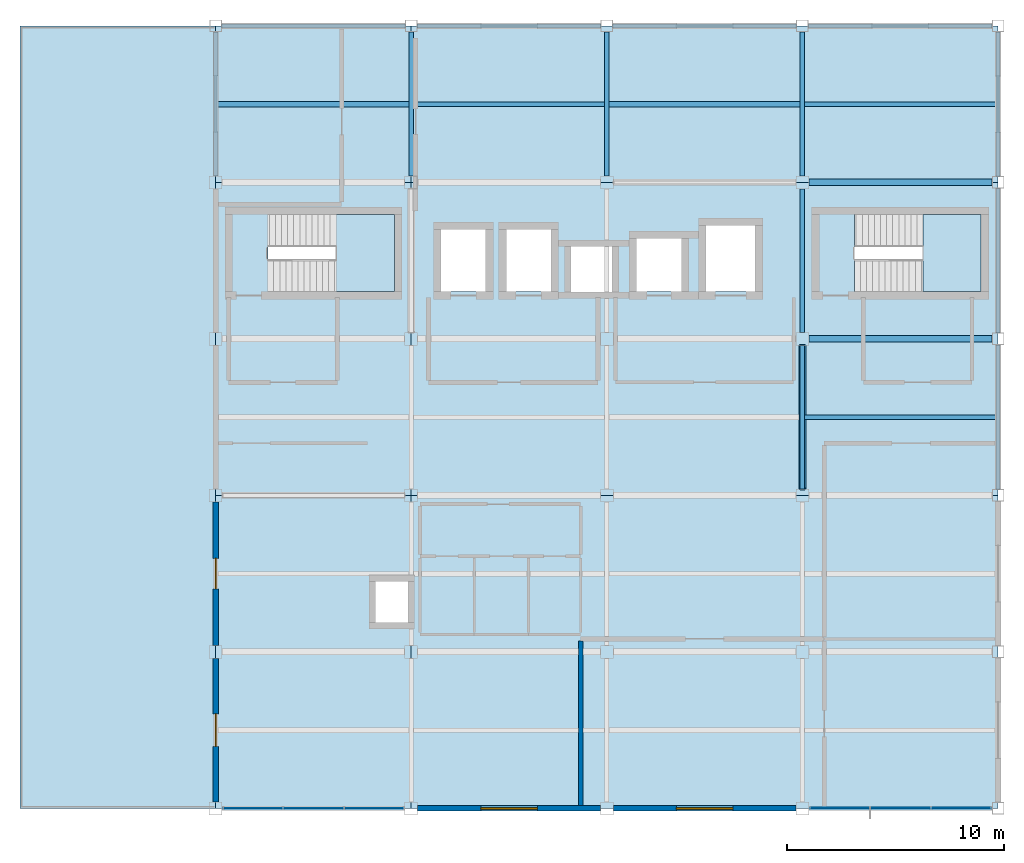
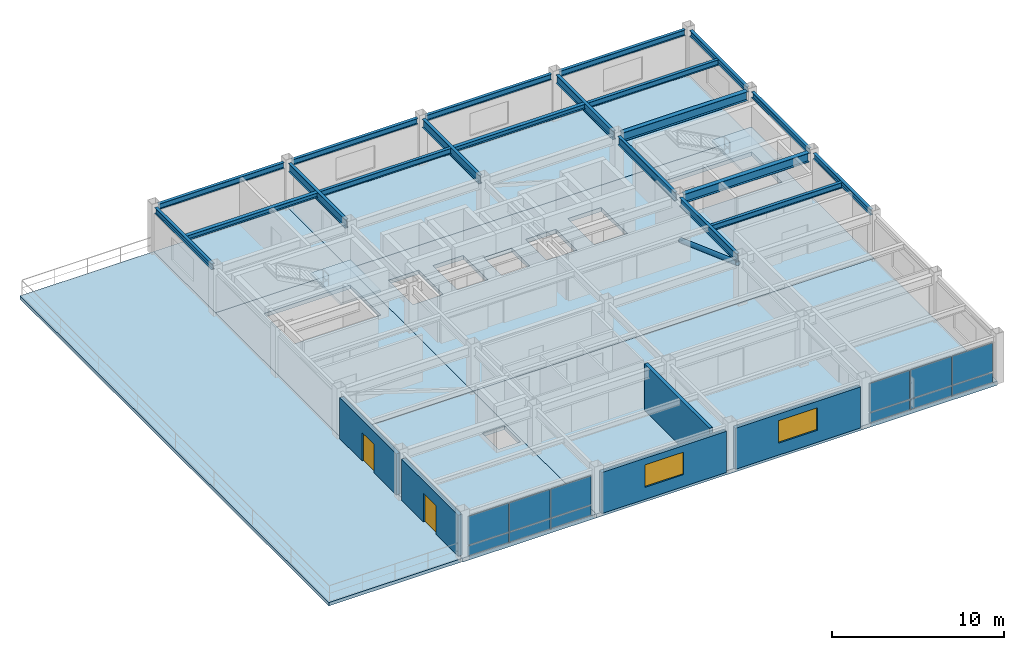
# One storey, part 5 of 11: 20 beams, 12 plates, 9 slabs, 5 walls, 2 doors, 2 windows, 1 member, 4 openings, 4 elements without a shape of their own.
"""IFC4 building model written with IfcOpenShell, lengths in metres."""

import ifcopenshell
import ifcopenshell.guid

model = None  # the IFC model being written
_history = None  # IfcOwnerHistory: only IFC2X3 demands one
_inside = {}  # id of a spatial element -> (the spatial element, [elements in it])
_under = {}  # id of a project, library or spatial element -> (it, [spatial elements below it])
_declared = {}  # id of a project -> (the project, [libraries it declares])
_typed = {}  # id of a type object -> (the type object, [elements of that type])
_made_of = {}  # id of a material, layer set ... -> (it, [elements and type objects made of it])


def new_model(schema):
    """Start an empty IFC model of exactly this schema.

    Asked for "IFC4X3", IfcOpenShell would pick the latest addendum, in which some entities
    have other attributes; the version numbers below select the first issue.
    IFC2X3 requires an IfcOwnerHistory on every rooted entity: one is made here for all.
    """
    global model, _history
    if schema == "IFC4X3":
        model = ifcopenshell.file(schema_version=(4, 3, 0, 0))
    else:
        model = ifcopenshell.file(schema=schema)
    _inside.clear()
    _under.clear()
    _declared.clear()
    _typed.clear()
    _made_of.clear()
    _history = None
    if model.schema == "IFC2X3":
        org = make("IfcOrganization", Name="unknown")
        user = make(
            "IfcPersonAndOrganization",
            ThePerson=make("IfcPerson", FamilyName="unknown"),
            TheOrganization=org,
        )
        app = make(
            "IfcApplication",
            ApplicationDeveloper=org,
            Version="unknown",
            ApplicationFullName="unknown",
            ApplicationIdentifier="unknown",
        )
        _history = make(
            "IfcOwnerHistory",
            OwningUser=user,
            OwningApplication=app,
            ChangeAction="ADDED",
            CreationDate=0,
        )
    return model


def make(cls, **values):
    """One entity of the class cls with the attributes given. An attribute that is None is left unset."""
    return model.create_entity(
        cls, **{name: value for name, value in values.items() if value is not None}
    )


def rooted(cls, **values):
    """An entity with a GlobalId (a new one), such as an element, a storey or a relation."""
    return make(cls, GlobalId=ifcopenshell.guid.new(), OwnerHistory=_history, **values)


def si_unit(unit_type, name, prefix=None):
    """IfcSIUnit, for example si_unit("LENGTHUNIT", "METRE", prefix="MILLI")."""
    return make("IfcSIUnit", UnitType=unit_type, Prefix=prefix, Name=name)


def assignment(units):
    """IfcUnitAssignment: the units of a project."""
    return None if units is None else make("IfcUnitAssignment", Units=units)


def point(xyz):
    """IfcCartesianPoint."""
    return None if xyz is None else make("IfcCartesianPoint", Coordinates=xyz)


def direction(xyz):
    """IfcDirection."""
    return None if xyz is None else make("IfcDirection", DirectionRatios=xyz)


def frame(location, z_axis=None, x_axis=None):
    """IfcAxis2Placement3D, a coordinate frame: its origin and axes. An axis left out is left unset."""
    return make(
        "IfcAxis2Placement3D",
        Location=point(location),
        Axis=direction(z_axis),
        RefDirection=direction(x_axis),
    )


def frame_2d(location, x_axis=None):
    """IfcAxis2Placement2D, a coordinate frame in the plane: its origin and x axis."""
    return make(
        "IfcAxis2Placement2D", Location=point(location), RefDirection=direction(x_axis)
    )


def origin():
    """The frame at (0, 0, 0) with its axes left unset."""
    return frame((0.0, 0.0, 0.0))


def origin_2d():
    """The frame at (0, 0) in the plane with its x axis left unset."""
    return frame_2d((0.0, 0.0))


def place(relative_to, where):
    """IfcLocalPlacement: puts the frame where relative to a parent placement (None: the world)."""
    return make(
        "IfcLocalPlacement", PlacementRelTo=relative_to, RelativePlacement=where
    )


def context(
    kind, dimensions, precision=None, world=None, true_north=None, identifier=None
):
    """IfcGeometricRepresentationContext, for example the 3D "Model" context."""
    return make(
        "IfcGeometricRepresentationContext",
        ContextIdentifier=identifier,
        ContextType=kind,
        CoordinateSpaceDimension=dimensions,
        Precision=precision,
        WorldCoordinateSystem=world,
        TrueNorth=true_north,
    )


def subcontext(parent, identifier, kind, view, scale=None):
    """IfcGeometricRepresentationSubContext, for example "Body" below "Model"."""
    return make(
        "IfcGeometricRepresentationSubContext",
        ContextIdentifier=identifier,
        ContextType=kind,
        ParentContext=parent,
        TargetScale=scale,
        TargetView=view,
    )


def project(units=None, contexts=None):
    """IfcProject with its units and contexts."""
    return rooted(
        "IfcProject",
        Name="project",
        RepresentationContexts=contexts,
        UnitsInContext=assignment(units),
    )


def spatial(cls, under=None, at=None, **own):
    """A site, building, storey or space (cls), placed at a placement, below another one or the project."""
    s = rooted(cls, ObjectPlacement=at, **own)
    if under is not None:
        _under.setdefault(under.id(), (under, []))[1].append(s)
    return s


def polyline(points):
    """IfcPolyline through the points."""
    return make("IfcPolyline", Points=[point(p) for p in points])


def profile(cls, at=None, kind="AREA", **sizes):
    """A parametric profile (cls). Its sizes go by their IFC names, for example OverallWidth=200.0."""
    return make(cls, ProfileType=kind, Position=at, **sizes)


def rectangle(**sizes):
    """IfcRectangleProfileDef."""
    return profile("IfcRectangleProfileDef", **sizes)


def hollow_circle(**sizes):
    """IfcCircleHollowProfileDef."""
    return profile("IfcCircleHollowProfileDef", **sizes)


def i_section(**sizes):
    """IfcIShapeProfileDef."""
    return profile("IfcIShapeProfileDef", **sizes)


def outline(outer, holes=None, kind="AREA"):
    """IfcArbitraryClosedProfileDef: a profile drawn as a closed curve; with holes, ...WithVoids."""
    if holes is None:
        return make("IfcArbitraryClosedProfileDef", ProfileType=kind, OuterCurve=outer)
    return make(
        "IfcArbitraryProfileDefWithVoids",
        ProfileType=kind,
        OuterCurve=outer,
        InnerCurves=holes,
    )


def extrude(swept, where, along, depth):
    """IfcExtrudedAreaSolid: the profile swept, set in the frame where, extruded along a direction by depth."""
    return make(
        "IfcExtrudedAreaSolid",
        SweptArea=swept,
        Position=where,
        ExtrudedDirection=direction(along),
        Depth=depth,
    )


def shape(context_of_items, identifier, shape_type, items):
    """IfcShapeRepresentation: the items that make up one representation, for example the "Body"."""
    return make(
        "IfcShapeRepresentation",
        ContextOfItems=context_of_items,
        RepresentationIdentifier=identifier,
        RepresentationType=shape_type,
        Items=items,
    )


def material(Name=None, Category=None):
    """IfcMaterial."""
    return make("IfcMaterial", Name=Name, Category=Category)


def layer(
    of_material, thickness, ventilated=None, Name=None, Category=None, Priority=None
):
    """IfcMaterialLayer: one layer of a wall or slab, of a material (None: an air gap)."""
    return make(
        "IfcMaterialLayer",
        Material=of_material,
        LayerThickness=thickness,
        IsVentilated=ventilated,
        Name=Name,
        Category=Category,
        Priority=Priority,
    )


def layer_set(layers, Name=None):
    """IfcMaterialLayerSet."""
    return make("IfcMaterialLayerSet", MaterialLayers=layers, LayerSetName=Name)


def material_profile(
    of_material, cross_section, Name=None, Category=None, Priority=None
):
    """IfcMaterialProfile: a cross section and its material."""
    return make(
        "IfcMaterialProfile",
        Name=Name,
        Material=of_material,
        Profile=cross_section,
        Priority=Priority,
        Category=Category,
    )


def profile_set(profiles, Name=None, composite=None):
    """IfcMaterialProfileSet."""
    return make(
        "IfcMaterialProfileSet",
        Name=Name,
        MaterialProfiles=profiles,
        CompositeProfile=composite,
    )


def made_of(thing, what):
    """Note that an element or type object is made of a material, layer set ...; save() writes the relation."""
    if what is not None:
        _made_of.setdefault(what.id(), (what, []))[1].append(thing)
    return thing


def type_object(cls, material=None, **own):
    """A type object (cls), such as IfcWallType, which elements share."""
    return made_of(rooted(cls, **own), material)


def element(
    cls,
    number,
    at=None,
    inside=None,
    cuts=None,
    type_object=None,
    material=None,
    context=None,
    identifier="Body",
    shape_type=None,
    held_by="IfcProductDefinitionShape",
    body=None,
    shapes=None,
    **own,
):
    """One element of the class cls, such as IfcWall. Its Tag is "e" and its number.

    at: its placement. inside: the storey or other place that contains it. cuts: it is an
    opening in that element (IfcRelVoidsElement). A single representation is given by context,
    identifier, shape_type and body (its items); several are given by shapes. held_by: the class
    of the entity that holds the representations. save() writes the other relations.
    """
    e = rooted(cls, Tag="e%d" % number, ObjectPlacement=at, **own)
    if body is not None:
        shapes = [shape(context, identifier, shape_type, body)]
    if shapes is not None:
        e.Representation = make(held_by, Representations=shapes)
    if inside is not None:
        _inside.setdefault(inside.id(), (inside, []))[1].append(e)
    if cuts is not None:
        rooted(
            "IfcRelVoidsElement", RelatingBuildingElement=cuts, RelatedOpeningElement=e
        )
    if type_object is not None:
        _typed.setdefault(type_object.id(), (type_object, []))[1].append(e)
    return made_of(e, material)


def fill(opening, filler):
    """IfcRelFillsElement: the door or window that sits in an opening."""
    return rooted(
        "IfcRelFillsElement",
        RelatingOpeningElement=opening,
        RelatedBuildingElement=filler,
    )


def aggregate(whole, parts):
    """IfcRelAggregates: a whole, such as a stair, and the parts it consists of."""
    return rooted("IfcRelAggregates", RelatingObject=whole, RelatedObjects=parts)


def save(model, path):
    """Write the relations noted so far, then the file.

    IfcRelAggregates (storeys below a building ...), IfcRelContainedInSpatialStructure (elements
    in a storey), IfcRelDefinesByType, IfcRelAssociatesMaterial and IfcRelDeclares: one each for
    every whole, place, type object, material and project.
    """
    for whole, parts in _under.values():
        aggregate(whole, parts)
    for where, things in _inside.values():
        rooted(
            "IfcRelContainedInSpatialStructure",
            RelatedElements=things,
            RelatingStructure=where,
        )
    for kind, things in _typed.values():
        rooted("IfcRelDefinesByType", RelatedObjects=things, RelatingType=kind)
    for what, things in _made_of.values():
        rooted("IfcRelAssociatesMaterial", RelatedObjects=things, RelatingMaterial=what)
    for by, libraries in _declared.values():
        rooted("IfcRelDeclares", RelatingContext=by, RelatedDefinitions=libraries)
    model.write(path)


model = new_model("IFC4")

# Units and contexts
model_context = context("Model", 3, precision=1e-05, world=origin(), true_north=direction((0.0, 1.0)))
body_context = subcontext(model_context, "Body", "Model", "MODEL_VIEW")
ifc_project = project(units=[si_unit("LENGTHUNIT", "METRE"), si_unit("AREAUNIT", "SQUARE_METRE"), si_unit("VOLUMEUNIT", "CUBIC_METRE"), si_unit("PLANEANGLEUNIT", "RADIAN"), si_unit("MASSUNIT", "GRAM", prefix="KILO")], contexts=[model_context])

# Site, building, storey
site_placement = place(None, origin())
site = spatial("IfcSite", under=ifc_project, at=site_placement, CompositionType="ELEMENT")
building_placement = place(site_placement, origin())
building = spatial("IfcBuilding", under=site, at=building_placement, Name="Kazanami Central Library", CompositionType="ELEMENT")
storey_placement = place(building_placement, frame((0.0, 0.0, 24.199951171875)))
storey = spatial("IfcBuildingStorey", under=building, at=storey_placement, Name="L07", CompositionType="ELEMENT", Elevation=24.199951171875)

# Beams
ifc_material_1 = material(Name="Steel SN400B (235 MPa)", Category="steel")
ifc_material_profile_1 = material_profile(ifc_material_1, i_section(OverallWidth=0.199951171875, OverallDepth=0.39990234375, WebThickness=0.008056640625, FlangeThickness=0.012939453125, at=origin_2d()), Name="H-400x200x8x13")
ifc_profile_set_1 = profile_set([ifc_material_profile_1], Name="Steel SN400B (235 MPa)")
beam_type_1 = type_object("IfcBeamType", Name="BM-B-S1", PredefinedType="JOIST", material=ifc_profile_set_1)
for number, where, z_axis, x_axis, name in (
    (1, (135.097900390625, 90.0, 3.1201171875), (1.0, 0.0, 0.0), (0.0, 1.0, 0.0), "Composite Secondary Joist B-S1 L07 Bay 16/N.1"),
    (2, (153.097900390625, 75.60009765625, 3.1201171875), (1.0, 0.0, 0.0), (0.0, 1.0, 0.0), "Composite Secondary Joist B-S1 L07 Bay 18/L.1"),
    (3, (153.097900390625, 90.0, 3.1201171875), (1.0, 0.0, 0.0), (0.0, 1.0, 0.0), "Composite Secondary Joist B-S1 L07 Bay 18/N.1"),
):
    element("IfcBeam", number, at=place(storey_placement, frame(where, z_axis=z_axis, x_axis=x_axis)), inside=storey, type_object=beam_type_1, Name=name, PredefinedType="JOIST", context=body_context, shape_type="SweptSolid", body=[
        extrude(i_section(OverallWidth=0.199951171875, OverallDepth=0.39990234375, WebThickness=0.008056640625, FlangeThickness=0.012939453125, at=origin_2d()), origin(), (0.0, 0.0, 1.0), 8.80419921875),
    ])
ifc_material_profile_2 = material_profile(ifc_material_1, i_section(OverallWidth=0.25, OverallDepth=0.340087890625, WebThickness=0.009033203125, FlangeThickness=0.013916015625, at=origin_2d()), Name="H-340x250x9x14")
ifc_profile_set_2 = profile_set([ifc_material_profile_2], Name="Steel SN400B (235 MPa)")
beam_type_2 = type_object("IfcBeamType", Name="BM-B-S3", PredefinedType="JOIST", material=ifc_profile_set_2)
for number, where, z_axis, x_axis, name in (
    (4, (126.097900390625, 90.0, 3.150146484375), (1.0, 0.0, 0.0), (0.0, 1.0, 0.0), "Composite Secondary Joist B-S3 L07 Bay 15/N.1"),
    (5, (144.097900390625, 90.0, 3.150146484375), (1.0, 0.0, 0.0), (0.0, 1.0, 0.0), "Composite Secondary Joist B-S3 L07 Bay 17/N.1"),
):
    element("IfcBeam", number, at=place(storey_placement, frame(where, z_axis=z_axis, x_axis=x_axis)), inside=storey, type_object=beam_type_2, Name=name, PredefinedType="JOIST", context=body_context, shape_type="SweptSolid", body=[
        extrude(i_section(OverallWidth=0.25, OverallDepth=0.340087890625, WebThickness=0.009033203125, FlangeThickness=0.013916015625, at=origin_2d()), origin(), (0.0, 0.0, 1.0), 8.80419921875),
    ])
ifc_material_2 = material(Name="Steel SN490B (325 MPa)", Category="steel")
ifc_material_profile_3 = material_profile(ifc_material_2, i_section(OverallWidth=0.300048828125, OverallDepth=0.64990234375, WebThickness=0.012939453125, FlangeThickness=0.02099609375, at=origin_2d()), Name="H-650x300x13x21")
ifc_profile_set_3 = profile_set([ifc_material_profile_3], Name="Steel SN490B (325 MPa)")
beam_type_3 = type_object("IfcBeamType", Name="BM-G-TR", PredefinedType="BEAM", material=ifc_profile_set_3)
for number, where, z_axis, x_axis, name in (
    (6, (153.298095703125, 79.199951171875, 2.9951171875), (1.0, 0.0, 0.0), (0.0, 1.0, 0.0), "Girder G-TR L07 M/18-19"),
    (7, (153.298095703125, 86.39990234375, 2.9951171875), (1.0, 0.0, 0.0), (0.0, 1.0, 0.0), "Girder G-TR L07 N/18-19"),
):
    element("IfcBeam", number, at=place(storey_placement, frame(where, z_axis=z_axis, x_axis=x_axis)), inside=storey, type_object=beam_type_3, Name=name, PredefinedType="BEAM", context=body_context, shape_type="SweptSolid", body=[
        extrude(i_section(OverallWidth=0.300048828125, OverallDepth=0.64990234375, WebThickness=0.012939453125, FlangeThickness=0.02099609375, at=origin_2d()), origin(), (0.0, 0.0, 1.0), 8.428955078125),
    ])
ifc_material_profile_4 = material_profile(ifc_material_2, i_section(OverallWidth=0.199951171875, OverallDepth=0.60009765625, WebThickness=0.010986328125, FlangeThickness=0.01708984375, at=origin_2d()), Name="H-600x200x11x17")
ifc_profile_set_4 = profile_set([ifc_material_profile_4], Name="Steel SN490B (325 MPa)")
beam_type_4 = type_object("IfcBeamType", Name="BM-G-Y1", PredefinedType="BEAM", material=ifc_profile_set_4)
for number, where, z_axis, x_axis, name in (
    (8, (135.0, 86.697998046875, 3.02001953125), (0.0, 1.0, 0.0), (-1.0, 0.0, 0.0), "Girder G-Y1 L07 16/N-O"),
    (9, (144.0, 86.697998046875, 3.02001953125), (0.0, 1.0, 0.0), (-1.0, 0.0, 0.0), "Girder G-Y1 L07 17/N-O"),
):
    element("IfcBeam", number, at=place(storey_placement, frame(where, z_axis=z_axis, x_axis=x_axis)), inside=storey, type_object=beam_type_4, Name=name, PredefinedType="BEAM", context=body_context, shape_type="SweptSolid", body=[
        extrude(i_section(OverallWidth=0.199951171875, OverallDepth=0.60009765625, WebThickness=0.010986328125, FlangeThickness=0.01708984375, at=origin_2d()), origin(), (0.0, 0.0, 1.0), 6.62890625),
    ])
for number, where, z_axis, x_axis, name in (
    (10, (153.0, 72.298095703125, 3.02001953125), (0.0, 1.0, 0.0), (-1.0, 0.0, 0.0), "Girder G-Y1 L07 18/L-M"),
    (11, (153.0, 79.498046875, 3.02001953125), (0.0, 1.0, 0.0), (-1.0, 0.0, 0.0), "Girder G-Y1 L07 18/M-N"),
):
    element("IfcBeam", number, at=place(storey_placement, frame(where, z_axis=z_axis, x_axis=x_axis)), inside=storey, type_object=beam_type_4, Name=name, PredefinedType="BEAM", context=body_context, shape_type="SweptSolid", body=[
        extrude(i_section(OverallWidth=0.199951171875, OverallDepth=0.60009765625, WebThickness=0.010986328125, FlangeThickness=0.01708984375, at=origin_2d()), origin(), (0.0, 0.0, 1.0), 6.60400390625),
    ])
beam_1_placement = place(storey_placement, frame((153.0, 86.697998046875, 3.02001953125), z_axis=(0.0, 1.0, 0.0), x_axis=(-1.0, 0.0, 0.0)))
element("IfcBeam", 12, at=beam_1_placement, inside=storey, type_object=beam_type_4, Name="Girder G-Y1 L07 18/N-O", PredefinedType="BEAM", context=body_context, shape_type="SweptSolid", body=[
    extrude(i_section(OverallWidth=0.199951171875, OverallDepth=0.60009765625, WebThickness=0.010986328125, FlangeThickness=0.01708984375, at=origin_2d()), origin(), (0.0, 0.0, 1.0), 6.62890625),
])
ifc_material_profile_5 = material_profile(ifc_material_2, i_section(OverallWidth=0.199951171875, OverallDepth=0.39990234375, WebThickness=0.008056640625, FlangeThickness=0.012939453125, at=origin_2d()), Name="H-400x200x8x13")
ifc_profile_set_5 = profile_set([ifc_material_profile_5], Name="Steel SN490B (325 MPa)")
beam_type_5 = type_object("IfcBeamType", Name="BM-SP-3", PredefinedType="SPANDREL", material=ifc_profile_set_5)
for number, where, z_axis, x_axis, name in (
    (13, (126.27294921875, 93.60009765625, 3.1201171875), (1.0, 0.0, 0.0), (0.0, 1.0, 0.0), "Girder SP-3 L07 O/15-16"),
    (14, (135.27294921875, 93.60009765625, 3.1201171875), (1.0, 0.0, 0.0), (0.0, 1.0, 0.0), "Girder SP-3 L07 O/16-17"),
    (15, (144.27294921875, 93.60009765625, 3.1201171875), (1.0, 0.0, 0.0), (0.0, 1.0, 0.0), "Girder SP-3 L07 O/17-18"),
    (16, (153.27294921875, 93.60009765625, 3.1201171875), (1.0, 0.0, 0.0), (0.0, 1.0, 0.0), "Girder SP-3 L07 O/18-19"),
):
    element("IfcBeam", number, at=place(storey_placement, frame(where, z_axis=z_axis, x_axis=x_axis)), inside=storey, type_object=beam_type_5, Name=name, PredefinedType="SPANDREL", context=body_context, shape_type="SweptSolid", body=[
        extrude(i_section(OverallWidth=0.199951171875, OverallDepth=0.39990234375, WebThickness=0.008056640625, FlangeThickness=0.012939453125, at=origin_2d()), origin(), (0.0, 0.0, 1.0), 8.4541015625),
    ])
beam_2_placement = place(storey_placement, frame((126.0, 86.697998046875, 3.1201171875), z_axis=(0.0, 1.0, 0.0), x_axis=(-1.0, 0.0, 0.0)))
element("IfcBeam", 17, at=beam_2_placement, inside=storey, type_object=beam_type_5, Name="Girder SP-3 L07 15/N-O", PredefinedType="SPANDREL", context=body_context, shape_type="SweptSolid", body=[
    extrude(i_section(OverallWidth=0.199951171875, OverallDepth=0.39990234375, WebThickness=0.008056640625, FlangeThickness=0.012939453125, at=origin_2d()), origin(), (0.0, 0.0, 1.0), 6.62890625),
])
for number, where, z_axis, x_axis, name in (
    (18, (162.0, 72.27294921875, 3.1201171875), (0.0, 1.0, 0.0), (-1.0, 0.0, 0.0), "Girder SP-3 L07 19/L-M"),
    (19, (162.0, 79.472900390625, 3.1201171875), (0.0, 1.0, 0.0), (-1.0, 0.0, 0.0), "Girder SP-3 L07 19/M-N"),
):
    element("IfcBeam", number, at=place(storey_placement, frame(where, z_axis=z_axis, x_axis=x_axis)), inside=storey, type_object=beam_type_5, Name=name, PredefinedType="SPANDREL", context=body_context, shape_type="SweptSolid", body=[
        extrude(i_section(OverallWidth=0.199951171875, OverallDepth=0.39990234375, WebThickness=0.008056640625, FlangeThickness=0.012939453125, at=origin_2d()), origin(), (0.0, 0.0, 1.0), 6.654052734375),
    ])
beam_3_placement = place(storey_placement, frame((162.0, 86.673095703125, 3.1201171875), z_axis=(0.0, 1.0, 0.0), x_axis=(-1.0, 0.0, 0.0)))
element("IfcBeam", 20, at=beam_3_placement, inside=storey, type_object=beam_type_5, Name="Girder SP-3 L07 19/N-O", PredefinedType="SPANDREL", context=body_context, shape_type="SweptSolid", body=[
    extrude(i_section(OverallWidth=0.199951171875, OverallDepth=0.39990234375, WebThickness=0.008056640625, FlangeThickness=0.012939453125, at=origin_2d()), origin(), (0.0, 0.0, 1.0), 6.65380859375),
])

# Member
ifc_material_3 = material(Name="Steel STK490 (315 MPa)", Category="steel")
ifc_material_profile_6 = material_profile(ifc_material_3, hollow_circle(Radius=0.1591796875, WallThickness=0.01025390625, at=origin_2d()), Name="CHS-318.5x10.3")
ifc_profile_set_6 = profile_set([ifc_material_profile_6], Name="Steel STK490 (315 MPa)")
member_type = type_object("IfcMemberType", Name="MEM-BR-02", PredefinedType="BRACE", material=ifc_profile_set_6)
member_placement = place(storey_placement, frame((153.0, 78.89990234375, 0.25), z_axis=(0.0, -0.940241468679, 0.34050841484), x_axis=(1.0, 0.0, 0.0)))
element("IfcMember", 21, at=member_placement, inside=storey, type_object=member_type, Name="Concentric Steel Brace BR-02 L07 BF-V2D", PredefinedType="BRACE", context=body_context, shape_type="SweptSolid", body=[
    extrude(hollow_circle(Radius=0.1591796875, WallThickness=0.01025390625, at=origin_2d()), origin(), (0.0, 0.0, 1.0), 7.019287109375),
])

# Curtain wall, plates
ifc_material_4 = material(Name="Acid-Etched Low-E Laminated Glass", Category="glass")
curtain_wall_type_1 = type_object("IfcCurtainWallType", Name="CW-8400x2920-M275", PredefinedType="USERDEFINED", material=ifc_material_4)
curtain_wall_1_placement = place(storey_placement, origin())
curtain_wall_1 = element("IfcCurtainWall", 22, at=curtain_wall_1_placement, inside=storey, type_object=curtain_wall_type_1, Name="Unitised Curtain Wall CW-55 L07 S-J-14", ObjectType="UNITISED CURTAIN WALL", PredefinedType="USERDEFINED")
ifc_layer_1 = layer(ifc_material_4, 0.035888671875, Name="Acid-Etched Low-E Laminated Glass")
ifc_layer_set_1 = layer_set([ifc_layer_1], Name="Acid-Etched Low-E Laminated Glass")
plate_type_1 = type_object("IfcPlateType", Name="PLT-CW-P1", PredefinedType="CURTAIN_PANEL", material=ifc_layer_set_1)
plate_1_placement = place(storey_placement, frame((127.71630859375, 57.60009765625, 0.8125), z_axis=(0.0, 0.0, 1.0), x_axis=(1.0, 0.0, 0.0)))
plate_1 = element("IfcPlate", 23, at=plate_1_placement, type_object=plate_type_1, Name="CW-55 panel 1.2", PredefinedType="CURTAIN_PANEL", context=body_context, shape_type="SweptSolid", body=[
    extrude(rectangle(XDim=2.702392578125, YDim=0.035888671875, at=origin_2d()), origin(), (0.0, 0.0, 1.0), 2.04248046875),
])
plate_2_placement = place(storey_placement, frame((130.5, 57.60009765625, 0.8125), z_axis=(0.0, 0.0, 1.0), x_axis=(1.0, 0.0, 0.0)))
plate_2 = element("IfcPlate", 24, at=plate_2_placement, type_object=plate_type_1, Name="CW-55 panel 2.2", PredefinedType="CURTAIN_PANEL", context=body_context, shape_type="SweptSolid", body=[
    extrude(rectangle(XDim=2.735107421875, YDim=0.035888671875, at=origin_2d()), origin(), (0.0, 0.0, 1.0), 2.04248046875),
])
plate_3_placement = place(storey_placement, frame((133.28369140625, 57.60009765625, 0.8125), z_axis=(0.0, 0.0, 1.0), x_axis=(1.0, 0.0, 0.0)))
plate_3 = element("IfcPlate", 25, at=plate_3_placement, type_object=plate_type_1, Name="CW-55 panel 3.2", PredefinedType="CURTAIN_PANEL", context=body_context, shape_type="SweptSolid", body=[
    extrude(rectangle(XDim=2.702392578125, YDim=0.035888671875, at=origin_2d()), origin(), (0.0, 0.0, 1.0), 2.04248046875),
])

curtain_wall_type_2 = type_object("IfcCurtainWallType", Name="CW-8425x2920-M275", PredefinedType="USERDEFINED", material=ifc_material_4)
curtain_wall_2_placement = place(storey_placement, origin())
curtain_wall_2 = element("IfcCurtainWall", 26, at=curtain_wall_2_placement, inside=storey, type_object=curtain_wall_type_2, Name="Unitised Curtain Wall CW-60 L07 S-J-17", ObjectType="UNITISED CURTAIN WALL", PredefinedType="USERDEFINED")
ifc_layer_2 = layer(ifc_material_4, 0.0439453125, Name="Acid-Etched Low-E Laminated Glass")
ifc_layer_set_2 = layer_set([ifc_layer_2], Name="Acid-Etched Low-E Laminated Glass")
plate_type_2 = type_object("IfcPlateType", Name="PLT-CW-P2", PredefinedType="CURTAIN_PANEL", material=ifc_layer_set_2)
plate_4_placement = place(storey_placement, frame((154.720458984375, 57.60009765625, 0.8125), z_axis=(0.0, 0.0, 1.0), x_axis=(1.0, 0.0, 0.0)))
plate_4 = element("IfcPlate", 27, at=plate_4_placement, type_object=plate_type_2, Name="CW-60 panel 1.2", PredefinedType="CURTAIN_PANEL", context=body_context, shape_type="SweptSolid", body=[
    extrude(rectangle(XDim=2.7109375, YDim=0.0439453125, at=origin_2d()), origin(), (0.0, 0.0, 1.0), 2.04248046875),
])
plate_5_placement = place(storey_placement, frame((157.512451171875, 57.60009765625, 0.8125), z_axis=(0.0, 0.0, 1.0), x_axis=(1.0, 0.0, 0.0)))
plate_5 = element("IfcPlate", 28, at=plate_5_placement, type_object=plate_type_2, Name="CW-60 panel 2.2", PredefinedType="CURTAIN_PANEL", context=body_context, shape_type="SweptSolid", body=[
    extrude(rectangle(XDim=2.743408203125, YDim=0.0439453125, at=origin_2d()), origin(), (0.0, 0.0, 1.0), 2.04248046875),
])
plate_6_placement = place(storey_placement, frame((160.3046875, 57.60009765625, 0.8125), z_axis=(0.0, 0.0, 1.0), x_axis=(1.0, 0.0, 0.0)))
plate_6 = element("IfcPlate", 29, at=plate_6_placement, type_object=plate_type_2, Name="CW-60 panel 3.2", PredefinedType="CURTAIN_PANEL", context=body_context, shape_type="SweptSolid", body=[
    extrude(rectangle(XDim=2.7109375, YDim=0.0439453125, at=origin_2d()), origin(), (0.0, 0.0, 1.0), 2.04248046875),
])

# Plate
ifc_material_5 = material(Name="Anodised Aluminium A5052-H32", Category="aluminium")
ifc_layer_3 = layer(ifc_material_5, 0.052001953125, Name="Anodised Aluminium A5052-H32")
ifc_layer_set_3 = layer_set([ifc_layer_3], Name="Anodised Aluminium A5052-H32")
plate_type_3 = type_object("IfcPlateType", Name="PLT-CW-SP2", PredefinedType="CURTAIN_PANEL", material=ifc_layer_set_3)
plate_7_placement = place(storey_placement, frame((127.71630859375, 57.60009765625, 0.06494140625), z_axis=(0.0, 0.0, 1.0), x_axis=(1.0, 0.0, 0.0)))
plate_7 = element("IfcPlate", 30, at=plate_7_placement, type_object=plate_type_3, Name="CW-55 panel 1.1", PredefinedType="CURTAIN_PANEL", context=body_context, shape_type="SweptSolid", body=[
    extrude(rectangle(XDim=2.702392578125, YDim=0.052001953125, at=origin_2d()), origin(), (0.0, 0.0, 1.0), 0.6826171875),
])

plate_8_placement = place(storey_placement, frame((130.5, 57.60009765625, 0.06494140625), z_axis=(0.0, 0.0, 1.0), x_axis=(1.0, 0.0, 0.0)))
plate_8 = element("IfcPlate", 31, at=plate_8_placement, type_object=plate_type_3, Name="CW-55 panel 2.1", PredefinedType="CURTAIN_PANEL", context=body_context, shape_type="SweptSolid", body=[
    extrude(rectangle(XDim=2.735107421875, YDim=0.052001953125, at=origin_2d()), origin(), (0.0, 0.0, 1.0), 0.6826171875),
])

plate_9_placement = place(storey_placement, frame((133.28369140625, 57.60009765625, 0.06494140625), z_axis=(0.0, 0.0, 1.0), x_axis=(1.0, 0.0, 0.0)))
plate_9 = element("IfcPlate", 32, at=plate_9_placement, type_object=plate_type_3, Name="CW-55 panel 3.1", PredefinedType="CURTAIN_PANEL", context=body_context, shape_type="SweptSolid", body=[
    extrude(rectangle(XDim=2.702392578125, YDim=0.052001953125, at=origin_2d()), origin(), (0.0, 0.0, 1.0), 0.6826171875),
])

aggregate(curtain_wall_1, [plate_7, plate_1, plate_8, plate_2, plate_9, plate_3])

plate_10_placement = place(storey_placement, frame((154.720458984375, 57.60009765625, 0.06494140625), z_axis=(0.0, 0.0, 1.0), x_axis=(1.0, 0.0, 0.0)))
plate_10 = element("IfcPlate", 33, at=plate_10_placement, type_object=plate_type_3, Name="CW-60 panel 1.1", PredefinedType="CURTAIN_PANEL", context=body_context, shape_type="SweptSolid", body=[
    extrude(rectangle(XDim=2.7109375, YDim=0.052001953125, at=origin_2d()), origin(), (0.0, 0.0, 1.0), 0.6826171875),
])

plate_11_placement = place(storey_placement, frame((157.512451171875, 57.60009765625, 0.06494140625), z_axis=(0.0, 0.0, 1.0), x_axis=(1.0, 0.0, 0.0)))
plate_11 = element("IfcPlate", 34, at=plate_11_placement, type_object=plate_type_3, Name="CW-60 panel 2.1", PredefinedType="CURTAIN_PANEL", context=body_context, shape_type="SweptSolid", body=[
    extrude(rectangle(XDim=2.743408203125, YDim=0.052001953125, at=origin_2d()), origin(), (0.0, 0.0, 1.0), 0.6826171875),
])

plate_12_placement = place(storey_placement, frame((160.3046875, 57.60009765625, 0.06494140625), z_axis=(0.0, 0.0, 1.0), x_axis=(1.0, 0.0, 0.0)))
plate_12 = element("IfcPlate", 35, at=plate_12_placement, type_object=plate_type_3, Name="CW-60 panel 3.1", PredefinedType="CURTAIN_PANEL", context=body_context, shape_type="SweptSolid", body=[
    extrude(rectangle(XDim=2.7109375, YDim=0.052001953125, at=origin_2d()), origin(), (0.0, 0.0, 1.0), 0.6826171875),
])

aggregate(curtain_wall_2, [plate_10, plate_4, plate_11, plate_5, plate_12, plate_6])

# Slabs
ifc_material_6 = material(Name="Concrete Fc36 (36 MPa)", Category="concrete")
ifc_layer_4 = layer(ifc_material_6, 0.280029296875, Name="Concrete Fc36 (36 MPa)")
ifc_layer_set_4 = layer_set([ifc_layer_4], Name="Concrete Fc36 (36 MPa)")
slab_type_1 = type_object("IfcSlabType", Name="SLB-FLR-280", PredefinedType="FLOOR", material=ifc_layer_set_4)
slab_1_placement = place(storey_placement, frame((0.0, 0.0, -0.280029296875)))
element("IfcSlab", 36, at=slab_1_placement, inside=storey, type_object=slab_type_1, Name="Composite Floor Slab L07 V2-CROWN Zone 1", PredefinedType="FLOOR", context=body_context, shape_type="SweptSolid", body=[
    extrude(outline(polyline([(126.0, 57.60009765625), (135.0, 57.60009765625), (135.0, 72.0), (126.0, 72.0), (126.0, 57.60009765625)]), holes=[polyline([(133.35009765625, 66.14990234375), (134.85009765625, 66.14990234375), (134.85009765625, 68.050048828125), (133.35009765625, 68.050048828125), (133.35009765625, 66.14990234375)])]), origin(), (0.0, 0.0, 1.0), 0.280029296875),
])
slab_2_placement = place(storey_placement, frame((0.0, 0.0, -0.280029296875)))
element("IfcSlab", 37, at=slab_2_placement, inside=storey, type_object=slab_type_1, Name="Composite Floor Slab L07 V2-CROWN Zone 2", PredefinedType="FLOOR", context=body_context, shape_type="SweptSolid", body=[
    extrude(outline(polyline([(126.0, 72.0), (135.0, 72.0), (135.0, 86.39990234375), (126.0, 86.39990234375), (126.0, 72.0)]), holes=[polyline([(128.39990234375, 81.375), (134.22509765625, 81.375), (134.22509765625, 84.925048828125), (128.39990234375, 84.925048828125), (128.39990234375, 81.375)])]), origin(), (0.0, 0.0, 1.0), 0.280029296875),
])
slab_3_placement = place(storey_placement, frame((0.0, 0.0, -0.280029296875)))
element("IfcSlab", 38, at=slab_3_placement, inside=storey, type_object=slab_type_1, Name="Composite Floor Slab L07 V2-CROWN Zone 3", PredefinedType="FLOOR", context=body_context, shape_type="SweptSolid", body=[
    extrude(outline(polyline([(126.0, 86.39990234375), (135.0, 86.39990234375), (135.0, 93.60009765625), (126.0, 93.60009765625), (126.0, 86.39990234375)])), origin(), (0.0, 0.0, 1.0), 0.280029296875),
])
slab_4_placement = place(storey_placement, frame((0.0, 0.0, -0.280029296875)))
element("IfcSlab", 39, at=slab_4_placement, inside=storey, type_object=slab_type_1, Name="Composite Floor Slab L07 V2-CROWN Zone 4", PredefinedType="FLOOR", context=body_context, shape_type="SweptSolid", body=[
    extrude(outline(polyline([(135.0, 57.60009765625), (162.0, 57.60009765625), (162.0, 72.0), (135.0, 72.0), (135.0, 57.60009765625)])), origin(), (0.0, 0.0, 1.0), 0.280029296875),
])
slab_5_placement = place(storey_placement, frame((0.0, 0.0, -0.280029296875)))
element("IfcSlab", 40, at=slab_5_placement, inside=storey, type_object=slab_type_1, Name="Composite Floor Slab L07 V2-CROWN Zone 5", PredefinedType="FLOOR", context=body_context, shape_type="SweptSolid", body=[
    extrude(outline(polyline([(135.0, 72.0), (162.0, 72.0), (162.0, 86.39990234375), (135.0, 86.39990234375), (135.0, 72.0)]), holes=[polyline([(155.39990234375, 81.375), (161.22509765625, 81.375), (161.22509765625, 84.925048828125), (155.39990234375, 84.925048828125), (155.39990234375, 81.375)]), polyline([(136.375, 81.375), (138.425048828125, 81.375), (138.425048828125, 84.22509765625), (136.375, 84.22509765625), (136.375, 81.375)]), polyline([(139.375, 81.375), (141.425048828125, 81.375), (141.425048828125, 84.22509765625), (139.375, 84.22509765625), (139.375, 81.375)]), polyline([(145.375, 81.375), (147.425048828125, 81.375), (147.425048828125, 83.824951171875), (145.375, 83.824951171875), (145.375, 81.375)]), polyline([(148.574951171875, 81.375), (150.824951171875, 81.375), (150.824951171875, 84.425048828125), (148.574951171875, 84.425048828125), (148.574951171875, 81.375)]), polyline([(142.35009765625, 81.35009765625), (144.25, 81.35009765625), (144.25, 83.449951171875), (142.35009765625, 83.449951171875), (142.35009765625, 81.35009765625)])]), origin(), (0.0, 0.0, 1.0), 0.280029296875),
])
slab_6_placement = place(storey_placement, frame((0.0, 0.0, -0.280029296875)))
element("IfcSlab", 41, at=slab_6_placement, inside=storey, type_object=slab_type_1, Name="Composite Floor Slab L07 V2-CROWN Zone 6", PredefinedType="FLOOR", context=body_context, shape_type="SweptSolid", body=[
    extrude(outline(polyline([(135.0, 86.39990234375), (162.0, 86.39990234375), (162.0, 93.60009765625), (135.0, 93.60009765625), (135.0, 86.39990234375)])), origin(), (0.0, 0.0, 1.0), 0.280029296875),
])

# Stair, slab
stair_type = type_object("IfcStairType", Name="STR-T36", PredefinedType="HALF_TURN_STAIR", material=ifc_material_6)
stair_1_placement = place(storey_placement, origin())
stair_1 = element("IfcStair", 42, at=stair_1_placement, inside=storey, type_object=stair_type, Name="Enclosed Escape Stair ST-01 (L07)", PredefinedType="HALF_TURN_STAIR")
ifc_layer_5 = layer(ifc_material_6, 0.179931640625, Name="Concrete Fc36 (36 MPa)")
ifc_layer_set_5 = layer_set([ifc_layer_5], Name="Concrete Fc36 (36 MPa)")
slab_type_2 = type_object("IfcSlabType", Name="SLB-LND-180", PredefinedType="LANDING", material=ifc_layer_set_5)
slab_7_placement = place(storey_placement, frame((0.0, 0.0, 1.6201171875)))
slab_7 = element("IfcSlab", 43, at=slab_7_placement, type_object=slab_type_2, Name="ST-01 landing 1", PredefinedType="LANDING", context=body_context, shape_type="SweptSolid", body=[
    extrude(outline(polyline([(131.548095703125, 81.375), (134.22509765625, 81.375), (134.22509765625, 84.925048828125), (131.548095703125, 84.925048828125), (131.548095703125, 81.375)])), origin(), (0.0, 0.0, 1.0), 0.179931640625),
])
aggregate(stair_1, [slab_7])

stair_2_placement = place(storey_placement, origin())
stair_2 = element("IfcStair", 44, at=stair_2_placement, inside=storey, type_object=stair_type, Name="Enclosed Escape Stair ST-02 (L07)", PredefinedType="HALF_TURN_STAIR")
slab_8_placement = place(storey_placement, frame((0.0, 0.0, 1.6201171875)))
slab_8 = element("IfcSlab", 45, at=slab_8_placement, type_object=slab_type_2, Name="ST-02 landing 1", PredefinedType="LANDING", context=body_context, shape_type="SweptSolid", body=[
    extrude(outline(polyline([(158.548095703125, 81.375), (161.22509765625, 81.375), (161.22509765625, 84.925048828125), (158.548095703125, 84.925048828125), (158.548095703125, 81.375)])), origin(), (0.0, 0.0, 1.0), 0.179931640625),
])
aggregate(stair_2, [slab_8])

# Slab
ifc_layer_6 = layer(ifc_material_6, 0.239990234375, Name="Concrete Fc36 (36 MPa)")
ifc_layer_set_6 = layer_set([ifc_layer_6], Name="Concrete Fc36 (36 MPa)")
slab_type_3 = type_object("IfcSlabType", Name="SLB-TER-240", PredefinedType="FLOOR", material=ifc_layer_set_6)
slab_9_placement = place(storey_placement, frame((0.0, 0.0, -0.239990234375)))
element("IfcSlab", 46, at=slab_9_placement, inside=storey, type_object=slab_type_3, Name="Archive Wing West Courtyard Terrace L07", PredefinedType="FLOOR", context=body_context, shape_type="SweptSolid", body=[
    extrude(outline(polyline([(117.0, 57.60009765625), (126.0, 57.60009765625), (126.0, 93.60009765625), (117.0, 93.60009765625), (117.0, 57.60009765625)])), origin(), (0.0, 0.0, 1.0), 0.239990234375),
])

# Wall, opening, window
ifc_layer_7 = layer(ifc_material_6, 0.179931640625, Name="Concrete Fc36 (36 MPa)")
ifc_material_7 = material(Name="Extruded Polystyrene XPS", Category="earth")
ifc_layer_8 = layer(ifc_material_7, 0.050048828125, Name="Extruded Polystyrene XPS")
ifc_material_8 = material(Name="Honed Inada Granite", Category="masonry")
ifc_layer_9 = layer(ifc_material_8, 0.030029296875, Name="Honed Inada Granite")
ifc_layer_set_7 = layer_set([ifc_layer_7, ifc_layer_8, ifc_layer_9], Name="Concrete Fc36 (36 MPa)")
wall_type_1 = type_object("IfcWallType", Name="WAL-EW-260", PredefinedType="STANDARD", material=ifc_layer_set_7)
wall_1_placement = place(storey_placement, frame((135.300048828125, 57.60009765625, 0.0), z_axis=(0.0, 0.0, 1.0), x_axis=(1.0, 0.0, 0.0)))
wall_1 = element("IfcWall", 47, at=wall_1_placement, inside=storey, type_object=wall_type_1, Name="Exterior Facade Wall EW-260 L07 S-J-15", PredefinedType="STANDARD", context=body_context, shape_type="SweptSolid", body=[
    extrude(rectangle(XDim=8.39990234375, YDim=0.260009765625, at=frame_2d((4.199951171875, 0.0))), origin(), (0.0, 0.0, 1.0), 2.920166015625),
])
opening_1_placement = place(wall_1_placement, frame((2.89990234375, 0.0, 0.85009765625)))
opening_1 = element("IfcOpeningElement", 48, at=opening_1_placement, cuts=wall_1, Name="Opening WN-13", PredefinedType="OPENING", context=body_context, shape_type="SweptSolid", body=[
    extrude(rectangle(XDim=2.60009765625, YDim=1.60009765625, at=frame_2d((1.300048828125, 0.800048828125))), frame((0.0, 0.14208984375, 0.0), z_axis=(0.0, -1.0, 0.0), x_axis=(1.0, 0.0, 0.0)), (0.0, 0.0, 1.0), 0.283935546875),
])
ifc_material_9 = material(Name="Low-E Insulated Triple Glass", Category="glass")
window_type = type_object("IfcWindowType", Name="WIN-WN-13", PartitioningType="DOUBLE_PANEL_VERTICAL", PredefinedType="WINDOW", material=ifc_material_9)
window_1_placement = place(opening_1_placement, origin())
window_1 = element("IfcWindow", 49, at=window_1_placement, inside=storey, type_object=window_type, Name="Facade Window WN-13 L07 S-J-15", OverallHeight=1.60009765625, OverallWidth=2.60009765625, PartitioningType="DOUBLE_PANEL_VERTICAL", PredefinedType="WINDOW", context=body_context, shape_type="SweptSolid", body=[
    extrude(rectangle(XDim=2.60009765625, YDim=1.60009765625, at=frame_2d((1.300048828125, 0.800048828125))), frame((0.0, 0.030029296875, 0.0), z_axis=(0.0, -1.0, 0.0), x_axis=(1.0, 0.0, 0.0)), (0.0, 0.0, 1.0), 0.06005859375),
])
fill(opening_1, window_1)

wall_2_placement = place(storey_placement, frame((144.300048828125, 57.60009765625, 0.0), z_axis=(0.0, 0.0, 1.0), x_axis=(1.0, 0.0, 0.0)))
wall_2 = element("IfcWall", 50, at=wall_2_placement, inside=storey, type_object=wall_type_1, Name="Exterior Facade Wall EW-260 L07 S-J-16", PredefinedType="STANDARD", context=body_context, shape_type="SweptSolid", body=[
    extrude(rectangle(XDim=8.39990234375, YDim=0.260009765625, at=frame_2d((4.199951171875, 0.0))), origin(), (0.0, 0.0, 1.0), 2.920166015625),
])
opening_2_placement = place(wall_2_placement, frame((2.89990234375, 0.0, 0.85009765625)))
opening_2 = element("IfcOpeningElement", 51, at=opening_2_placement, cuts=wall_2, Name="Opening WN-13", PredefinedType="OPENING", context=body_context, shape_type="SweptSolid", body=[
    extrude(rectangle(XDim=2.60009765625, YDim=1.60009765625, at=frame_2d((1.300048828125, 0.800048828125))), frame((0.0, 0.14208984375, 0.0), z_axis=(0.0, -1.0, 0.0), x_axis=(1.0, 0.0, 0.0)), (0.0, 0.0, 1.0), 0.283935546875),
])
window_2_placement = place(opening_2_placement, origin())
window_2 = element("IfcWindow", 52, at=window_2_placement, inside=storey, type_object=window_type, Name="Facade Window WN-13 L07 S-J-16", OverallHeight=1.60009765625, OverallWidth=2.60009765625, PartitioningType="DOUBLE_PANEL_VERTICAL", PredefinedType="WINDOW", context=body_context, shape_type="SweptSolid", body=[
    extrude(rectangle(XDim=2.60009765625, YDim=1.60009765625, at=frame_2d((1.300048828125, 0.800048828125))), frame((0.0, 0.030029296875, 0.0), z_axis=(0.0, -1.0, 0.0), x_axis=(1.0, 0.0, 0.0)), (0.0, 0.0, 1.0), 0.06005859375),
])
fill(opening_2, window_2)

# Wall, opening, door
wall_3_placement = place(storey_placement, frame((126.0, 57.89990234375, 0.0), z_axis=(0.0, 0.0, 1.0), x_axis=(0.0, 1.0, 0.0)))
wall_3 = element("IfcWall", 53, at=wall_3_placement, inside=storey, type_object=wall_type_1, Name="Exterior Facade Wall EW-260 L07 W-15-08", PredefinedType="STANDARD", context=body_context, shape_type="SweptSolid", body=[
    extrude(rectangle(XDim=6.60009765625, YDim=0.260009765625, at=frame_2d((3.300048828125, 0.0))), origin(), (0.0, 0.0, 1.0), 2.920166015625),
])
opening_3_placement = place(wall_3_placement, frame((2.550048828125, 0.0, 0.0)))
opening_3 = element("IfcOpeningElement", 54, at=opening_3_placement, cuts=wall_3, Name="Opening ED-T4", PredefinedType="OPENING", context=body_context, shape_type="SweptSolid", body=[
    extrude(rectangle(XDim=1.5, YDim=2.050048828125, at=frame_2d((0.75, 1.02490234375))), frame((0.0, 0.14208984375, 0.0), z_axis=(0.0, -1.0, 0.0), x_axis=(1.0, 0.0, 0.0)), (0.0, 0.0, 1.0), 0.283935546875),
])
ifc_material_10 = material(Name="Anodised Aluminium A6063-T5", Category="aluminium")
door_type_1 = type_object("IfcDoorType", Name="DOR-ED-T4", OperationType="DOUBLE_DOOR_SINGLE_SWING", PredefinedType="DOOR", material=ifc_material_10)
door_1_placement = place(opening_3_placement, origin())
door_1 = element("IfcDoor", 55, at=door_1_placement, inside=storey, type_object=door_type_1, Name="Reading Terrace Access Door L07 W-15-08", OperationType="DOUBLE_DOOR_SINGLE_SWING", OverallHeight=2.050048828125, OverallWidth=1.5, PredefinedType="DOOR", context=body_context, shape_type="SweptSolid", body=[
    extrude(rectangle(XDim=1.5, YDim=2.050048828125, at=frame_2d((0.75, 1.02490234375))), frame((0.0, 0.02490234375, 0.0), z_axis=(0.0, -1.0, 0.0), x_axis=(1.0, 0.0, 0.0)), (0.0, 0.0, 1.0), 0.050048828125),
])
fill(opening_3, door_1)

wall_4_placement = place(storey_placement, frame((126.0, 65.10009765625, 0.0), z_axis=(0.0, 0.0, 1.0), x_axis=(0.0, 1.0, 0.0)))
wall_4 = element("IfcWall", 56, at=wall_4_placement, inside=storey, type_object=wall_type_1, Name="Exterior Facade Wall EW-260 L07 W-15-09", PredefinedType="STANDARD", context=body_context, shape_type="SweptSolid", body=[
    extrude(rectangle(XDim=6.599853515625, YDim=0.260009765625, at=frame_2d((3.2998046875, 0.0))), origin(), (0.0, 0.0, 1.0), 2.920166015625),
])
opening_4_placement = place(wall_4_placement, frame((2.60009765625, 0.0, 0.0)))
opening_4 = element("IfcOpeningElement", 57, at=opening_4_placement, cuts=wall_4, Name="Opening ED-T5", PredefinedType="OPENING", context=body_context, shape_type="SweptSolid", body=[
    extrude(rectangle(XDim=1.39990234375, YDim=2.02001953125, at=frame_2d((0.699951171875, 1.010009765625))), frame((0.0, 0.14208984375, 0.0), z_axis=(0.0, -1.0, 0.0), x_axis=(1.0, 0.0, 0.0)), (0.0, 0.0, 1.0), 0.283935546875),
])
door_type_2 = type_object("IfcDoorType", Name="DOR-ED-T5", OperationType="DOUBLE_DOOR_SINGLE_SWING", PredefinedType="DOOR", material=ifc_material_10)
door_2_placement = place(opening_4_placement, origin())
door_2 = element("IfcDoor", 58, at=door_2_placement, inside=storey, type_object=door_type_2, Name="Reading Terrace Access Door L07 W-15-09", OperationType="DOUBLE_DOOR_SINGLE_SWING", OverallHeight=2.02001953125, OverallWidth=1.39990234375, PredefinedType="DOOR", context=body_context, shape_type="SweptSolid", body=[
    extrude(rectangle(XDim=1.39990234375, YDim=2.02001953125, at=frame_2d((0.699951171875, 1.010009765625))), frame((0.0, 0.02490234375, 0.0), z_axis=(0.0, -1.0, 0.0), x_axis=(1.0, 0.0, 0.0)), (0.0, 0.0, 1.0), 0.050048828125),
])
fill(opening_4, door_2)

# Wall
ifc_material_11 = material(Name="Fire-Resistant Gypsum Board GB-F", Category="gypsum")
ifc_layer_10 = layer(ifc_material_11, 0.219970703125, Name="Fire-Resistant Gypsum Board GB-F")
ifc_layer_set_8 = layer_set([ifc_layer_10], Name="Fire-Resistant Gypsum Board GB-F")
wall_type_2 = type_object("IfcWallType", Name="WAL-FW-220", PredefinedType="PARTITIONING", material=ifc_layer_set_8)
wall_5_placement = place(storey_placement, frame((142.800048828125, 57.735107421875, 0.0), z_axis=(0.0, 0.0, 1.0), x_axis=(0.0, 1.0, 0.0)))
element("IfcWall", 59, at=wall_5_placement, inside=storey, type_object=wall_type_2, Name="Interior Partition FW-220 L07 RM-06 (West)", PredefinedType="PARTITIONING", context=body_context, shape_type="SweptSolid", body=[
    extrude(rectangle(XDim=7.574951171875, YDim=0.219970703125, at=frame_2d((3.78759765625, 0.0))), origin(), (0.0, 0.0, 1.0), 3.320068359375),
])

save(model, "model.ifc")
